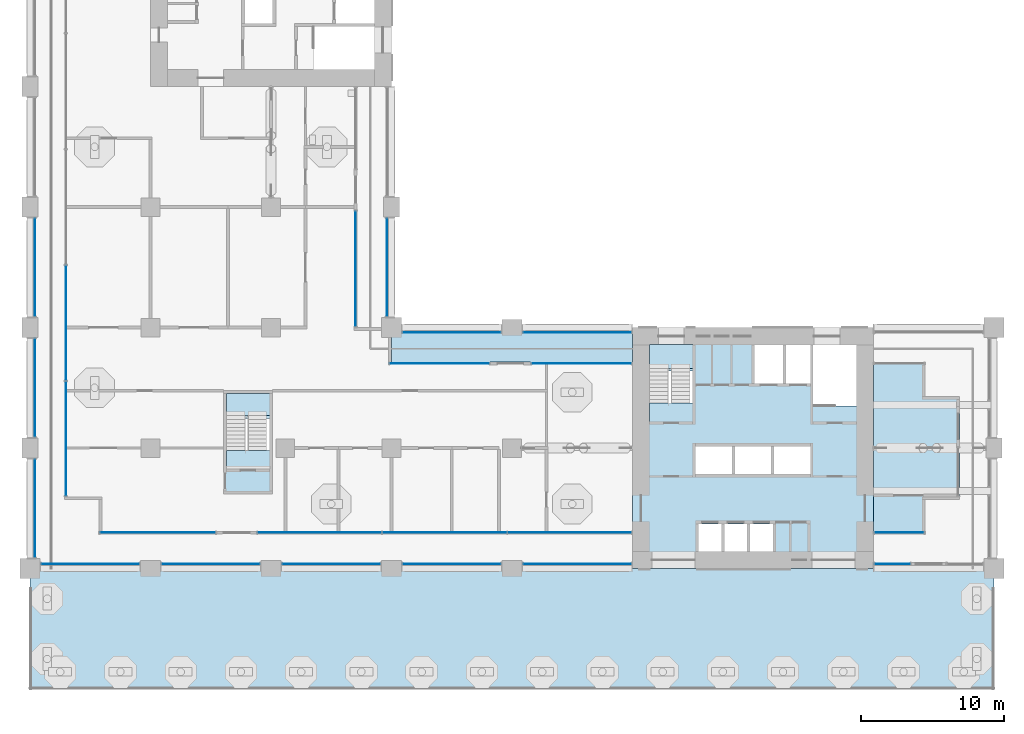
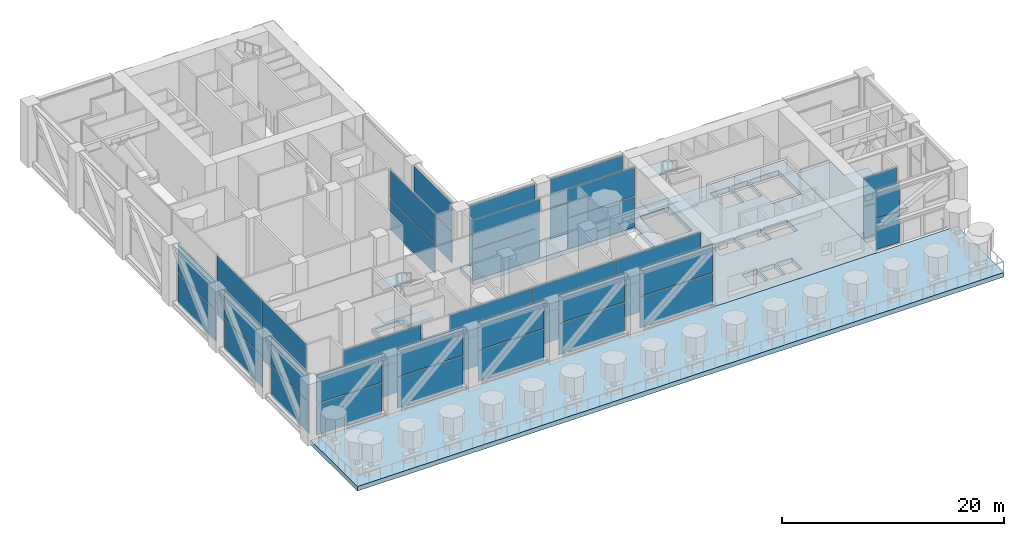
# One storey, part 8 of 28: 44 plates, 11 slabs, 21 elements without a shape of their own.
"""IFC4 building model written with IfcOpenShell, lengths in metres."""

import ifcopenshell
import ifcopenshell.guid

model = None  # the IFC model being written
_history = None  # IfcOwnerHistory: only IFC2X3 demands one
_inside = {}  # id of a spatial element -> (the spatial element, [elements in it])
_under = {}  # id of a project, library or spatial element -> (it, [spatial elements below it])
_declared = {}  # id of a project -> (the project, [libraries it declares])
_typed = {}  # id of a type object -> (the type object, [elements of that type])
_made_of = {}  # id of a material, layer set ... -> (it, [elements and type objects made of it])


def new_model(schema):
    """Start an empty IFC model of exactly this schema.

    Asked for "IFC4X3", IfcOpenShell would pick the latest addendum, in which some entities
    have other attributes; the version numbers below select the first issue.
    IFC2X3 requires an IfcOwnerHistory on every rooted entity: one is made here for all.
    """
    global model, _history
    if schema == "IFC4X3":
        model = ifcopenshell.file(schema_version=(4, 3, 0, 0))
    else:
        model = ifcopenshell.file(schema=schema)
    _inside.clear()
    _under.clear()
    _declared.clear()
    _typed.clear()
    _made_of.clear()
    _history = None
    if model.schema == "IFC2X3":
        org = make("IfcOrganization", Name="unknown")
        user = make(
            "IfcPersonAndOrganization",
            ThePerson=make("IfcPerson", FamilyName="unknown"),
            TheOrganization=org,
        )
        app = make(
            "IfcApplication",
            ApplicationDeveloper=org,
            Version="unknown",
            ApplicationFullName="unknown",
            ApplicationIdentifier="unknown",
        )
        _history = make(
            "IfcOwnerHistory",
            OwningUser=user,
            OwningApplication=app,
            ChangeAction="ADDED",
            CreationDate=0,
        )
    return model


def make(cls, **values):
    """One entity of the class cls with the attributes given. An attribute that is None is left unset."""
    return model.create_entity(
        cls, **{name: value for name, value in values.items() if value is not None}
    )


def rooted(cls, **values):
    """An entity with a GlobalId (a new one), such as an element, a storey or a relation."""
    return make(cls, GlobalId=ifcopenshell.guid.new(), OwnerHistory=_history, **values)


def si_unit(unit_type, name, prefix=None):
    """IfcSIUnit, for example si_unit("LENGTHUNIT", "METRE", prefix="MILLI")."""
    return make("IfcSIUnit", UnitType=unit_type, Prefix=prefix, Name=name)


def assignment(units):
    """IfcUnitAssignment: the units of a project."""
    return None if units is None else make("IfcUnitAssignment", Units=units)


def point(xyz):
    """IfcCartesianPoint."""
    return None if xyz is None else make("IfcCartesianPoint", Coordinates=xyz)


def direction(xyz):
    """IfcDirection."""
    return None if xyz is None else make("IfcDirection", DirectionRatios=xyz)


def frame(location, z_axis=None, x_axis=None):
    """IfcAxis2Placement3D, a coordinate frame: its origin and axes. An axis left out is left unset."""
    return make(
        "IfcAxis2Placement3D",
        Location=point(location),
        Axis=direction(z_axis),
        RefDirection=direction(x_axis),
    )


def frame_2d(location, x_axis=None):
    """IfcAxis2Placement2D, a coordinate frame in the plane: its origin and x axis."""
    return make(
        "IfcAxis2Placement2D", Location=point(location), RefDirection=direction(x_axis)
    )


def origin():
    """The frame at (0, 0, 0) with its axes left unset."""
    return frame((0.0, 0.0, 0.0))


def origin_2d():
    """The frame at (0, 0) in the plane with its x axis left unset."""
    return frame_2d((0.0, 0.0))


def place(relative_to, where):
    """IfcLocalPlacement: puts the frame where relative to a parent placement (None: the world)."""
    return make(
        "IfcLocalPlacement", PlacementRelTo=relative_to, RelativePlacement=where
    )


def context(
    kind, dimensions, precision=None, world=None, true_north=None, identifier=None
):
    """IfcGeometricRepresentationContext, for example the 3D "Model" context."""
    return make(
        "IfcGeometricRepresentationContext",
        ContextIdentifier=identifier,
        ContextType=kind,
        CoordinateSpaceDimension=dimensions,
        Precision=precision,
        WorldCoordinateSystem=world,
        TrueNorth=true_north,
    )


def subcontext(parent, identifier, kind, view, scale=None):
    """IfcGeometricRepresentationSubContext, for example "Body" below "Model"."""
    return make(
        "IfcGeometricRepresentationSubContext",
        ContextIdentifier=identifier,
        ContextType=kind,
        ParentContext=parent,
        TargetScale=scale,
        TargetView=view,
    )


def project(units=None, contexts=None):
    """IfcProject with its units and contexts."""
    return rooted(
        "IfcProject",
        Name="project",
        RepresentationContexts=contexts,
        UnitsInContext=assignment(units),
    )


def spatial(cls, under=None, at=None, **own):
    """A site, building, storey or space (cls), placed at a placement, below another one or the project."""
    s = rooted(cls, ObjectPlacement=at, **own)
    if under is not None:
        _under.setdefault(under.id(), (under, []))[1].append(s)
    return s


def polyline(points):
    """IfcPolyline through the points."""
    return make("IfcPolyline", Points=[point(p) for p in points])


def profile(cls, at=None, kind="AREA", **sizes):
    """A parametric profile (cls). Its sizes go by their IFC names, for example OverallWidth=200.0."""
    return make(cls, ProfileType=kind, Position=at, **sizes)


def rectangle(**sizes):
    """IfcRectangleProfileDef."""
    return profile("IfcRectangleProfileDef", **sizes)


def outline(outer, holes=None, kind="AREA"):
    """IfcArbitraryClosedProfileDef: a profile drawn as a closed curve; with holes, ...WithVoids."""
    if holes is None:
        return make("IfcArbitraryClosedProfileDef", ProfileType=kind, OuterCurve=outer)
    return make(
        "IfcArbitraryProfileDefWithVoids",
        ProfileType=kind,
        OuterCurve=outer,
        InnerCurves=holes,
    )


def extrude(swept, where, along, depth):
    """IfcExtrudedAreaSolid: the profile swept, set in the frame where, extruded along a direction by depth."""
    return make(
        "IfcExtrudedAreaSolid",
        SweptArea=swept,
        Position=where,
        ExtrudedDirection=direction(along),
        Depth=depth,
    )


def shape(context_of_items, identifier, shape_type, items):
    """IfcShapeRepresentation: the items that make up one representation, for example the "Body"."""
    return make(
        "IfcShapeRepresentation",
        ContextOfItems=context_of_items,
        RepresentationIdentifier=identifier,
        RepresentationType=shape_type,
        Items=items,
    )


def material(Name=None, Category=None):
    """IfcMaterial."""
    return make("IfcMaterial", Name=Name, Category=Category)


def layer(
    of_material, thickness, ventilated=None, Name=None, Category=None, Priority=None
):
    """IfcMaterialLayer: one layer of a wall or slab, of a material (None: an air gap)."""
    return make(
        "IfcMaterialLayer",
        Material=of_material,
        LayerThickness=thickness,
        IsVentilated=ventilated,
        Name=Name,
        Category=Category,
        Priority=Priority,
    )


def layer_set(layers, Name=None):
    """IfcMaterialLayerSet."""
    return make("IfcMaterialLayerSet", MaterialLayers=layers, LayerSetName=Name)


def made_of(thing, what):
    """Note that an element or type object is made of a material, layer set ...; save() writes the relation."""
    if what is not None:
        _made_of.setdefault(what.id(), (what, []))[1].append(thing)
    return thing


def type_object(cls, material=None, **own):
    """A type object (cls), such as IfcWallType, which elements share."""
    return made_of(rooted(cls, **own), material)


def element(
    cls,
    number,
    at=None,
    inside=None,
    cuts=None,
    type_object=None,
    material=None,
    context=None,
    identifier="Body",
    shape_type=None,
    held_by="IfcProductDefinitionShape",
    body=None,
    shapes=None,
    **own,
):
    """One element of the class cls, such as IfcWall. Its Tag is "e" and its number.

    at: its placement. inside: the storey or other place that contains it. cuts: it is an
    opening in that element (IfcRelVoidsElement). A single representation is given by context,
    identifier, shape_type and body (its items); several are given by shapes. held_by: the class
    of the entity that holds the representations. save() writes the other relations.
    """
    e = rooted(cls, Tag="e%d" % number, ObjectPlacement=at, **own)
    if body is not None:
        shapes = [shape(context, identifier, shape_type, body)]
    if shapes is not None:
        e.Representation = make(held_by, Representations=shapes)
    if inside is not None:
        _inside.setdefault(inside.id(), (inside, []))[1].append(e)
    if cuts is not None:
        rooted(
            "IfcRelVoidsElement", RelatingBuildingElement=cuts, RelatedOpeningElement=e
        )
    if type_object is not None:
        _typed.setdefault(type_object.id(), (type_object, []))[1].append(e)
    return made_of(e, material)


def aggregate(whole, parts):
    """IfcRelAggregates: a whole, such as a stair, and the parts it consists of."""
    return rooted("IfcRelAggregates", RelatingObject=whole, RelatedObjects=parts)


def save(model, path):
    """Write the relations noted so far, then the file.

    IfcRelAggregates (storeys below a building ...), IfcRelContainedInSpatialStructure (elements
    in a storey), IfcRelDefinesByType, IfcRelAssociatesMaterial and IfcRelDeclares: one each for
    every whole, place, type object, material and project.
    """
    for whole, parts in _under.values():
        aggregate(whole, parts)
    for where, things in _inside.values():
        rooted(
            "IfcRelContainedInSpatialStructure",
            RelatedElements=things,
            RelatingStructure=where,
        )
    for kind, things in _typed.values():
        rooted("IfcRelDefinesByType", RelatedObjects=things, RelatingType=kind)
    for what, things in _made_of.values():
        rooted("IfcRelAssociatesMaterial", RelatedObjects=things, RelatingMaterial=what)
    for by, libraries in _declared.values():
        rooted("IfcRelDeclares", RelatingContext=by, RelatedDefinitions=libraries)
    model.write(path)


model = new_model("IFC4")

# Units and contexts
model_context = context("Model", 3, precision=1e-05, world=origin(), true_north=direction((0.0, 1.0)))
body_context = subcontext(model_context, "Body", "Model", "MODEL_VIEW")
ifc_project = project(units=[si_unit("LENGTHUNIT", "METRE"), si_unit("AREAUNIT", "SQUARE_METRE"), si_unit("VOLUMEUNIT", "CUBIC_METRE"), si_unit("PLANEANGLEUNIT", "RADIAN"), si_unit("MASSUNIT", "GRAM", prefix="KILO")], contexts=[model_context])

# Site, building, storey
site_placement = place(None, origin())
site = spatial("IfcSite", under=ifc_project, at=site_placement, CompositionType="ELEMENT")
building_placement = place(site_placement, origin())
building = spatial("IfcBuilding", under=site, at=building_placement, Name="Vermilion Gate Residences", CompositionType="ELEMENT")
storey_placement = place(building_placement, frame((0.0, 0.0, 74.199951171875)))
storey = spatial("IfcBuildingStorey", under=building, at=storey_placement, Name="L18", CompositionType="ELEMENT", Elevation=74.199951171875)

# Slabs
ifc_material_1 = material(Name="Concrete C50", Category="concrete")
ifc_layer_1 = layer(ifc_material_1, 0.5)
ifc_layer_set_1 = layer_set([ifc_layer_1], Name="RC CORE FLOOR SLAB 500 C50")
slab_type_1 = type_object("IfcSlabType", Name="RC CORE FLOOR SLAB 500 C50", PredefinedType="FLOOR", material=ifc_layer_set_1)
slab_1_placement = place(storey_placement, frame((0.0, 0.0, -0.5)))
element("IfcSlab", 1, at=slab_1_placement, inside=storey, type_object=slab_type_1, Name="Core floor slab A18", PredefinedType="FLOOR", context=body_context, shape_type="SweptSolid", body=[
    extrude(outline(polyline([(42.0, 8.39990234375), (58.800048828125, 8.39990234375), (58.800048828125, 25.199951171875), (42.0, 25.199951171875), (42.0, 8.39990234375)]), holes=[polyline([(46.60009765625, 11.5), (48.199951171875, 11.5), (48.199951171875, 9.60009765625), (46.60009765625, 9.60009765625), (46.60009765625, 11.5)]), polyline([(48.39990234375, 11.5), (50.0, 11.5), (50.0, 9.60009765625), (48.39990234375, 9.60009765625), (48.39990234375, 11.5)]), polyline([(50.199951171875, 11.5), (51.800048828125, 11.5), (51.800048828125, 9.60009765625), (50.199951171875, 9.60009765625), (50.199951171875, 11.5)]), polyline([(48.933349609375, 16.89990234375), (48.933349609375, 15.0), (46.39990234375, 15.0), (46.39990234375, 16.89990234375), (48.933349609375, 16.89990234375)]), polyline([(51.666748046875, 16.89990234375), (51.666748046875, 15.0), (49.13330078125, 15.0), (49.13330078125, 16.89990234375), (51.666748046875, 16.89990234375)]), polyline([(51.86669921875, 16.89990234375), (54.39990234375, 16.89990234375), (54.39990234375, 15.0), (51.86669921875, 15.0), (51.86669921875, 16.89990234375)]), polyline([(43.199951171875, 24.0), (46.199951171875, 24.0), (46.199951171875, 19.75), (43.199951171875, 19.75), (43.199951171875, 24.0)]), polyline([(54.60009765625, 24.0), (57.60009765625, 24.0), (57.60009765625, 19.75), (54.60009765625, 19.75), (54.60009765625, 24.0)]), polyline([(52.5, 24.0), (52.5, 21.300048828125), (50.5, 21.300048828125), (50.5, 24.0), (52.5, 24.0)]), polyline([(54.39990234375, 24.0), (54.39990234375, 21.300048828125), (52.699951171875, 21.300048828125), (52.699951171875, 24.0), (54.39990234375, 24.0)])]), origin(), (0.0, 0.0, 1.0), 0.5),
])
slab_2_placement = place(storey_placement, frame((0.0, 0.0, -0.5)))
element("IfcSlab", 2, at=slab_2_placement, inside=storey, type_object=slab_type_1, Name="Apex stair floor slab 18", PredefinedType="FLOOR", context=body_context, shape_type="SweptSolid", body=[
    extrude(outline(polyline([(13.5, 13.60009765625), (16.89990234375, 13.60009765625), (16.89990234375, 20.800048828125), (13.5, 20.800048828125), (13.5, 13.60009765625)]), holes=[polyline([(16.699951171875, 20.60009765625), (16.699951171875, 16.449951171875), (13.699951171875, 16.449951171875), (13.699951171875, 20.60009765625), (16.699951171875, 20.60009765625)])]), origin(), (0.0, 0.0, 1.0), 0.5),
])
ifc_material_2 = material(Name="Concrete C60 red-oxide pigmented", Category="concrete")
ifc_layer_2 = layer(ifc_material_2, 0.5)
ifc_layer_set_2 = layer_set([ifc_layer_2], Name="RC LOGGIA SLAB 500 C60")
slab_type_2 = type_object("IfcSlabType", Name="RC LOGGIA SLAB 500 C60", PredefinedType="FLOOR", material=ifc_layer_set_2)
slab_3_placement = place(storey_placement, frame((0.0, 0.0, -0.5)))
element("IfcSlab", 3, at=slab_3_placement, inside=storey, type_object=slab_type_2, Name="Loggia slab L18", PredefinedType="FLOOR", context=body_context, shape_type="SweptSolid", body=[
    extrude(outline(polyline([(25.199951171875, 22.800048828125), (42.0, 22.800048828125), (42.0, 25.199951171875), (25.199951171875, 25.199951171875), (25.199951171875, 22.800048828125)])), origin(), (0.0, 0.0, 1.0), 0.5),
])
ifc_material_3 = material(Name="Concrete C60", Category="concrete")
ifc_layer_3 = layer(ifc_material_3, 0.5)
ifc_layer_set_3 = layer_set([ifc_layer_3], Name="RC SKY FLOOR SLAB 500 C60")
slab_type_3 = type_object("IfcSlabType", Name="RC SKY FLOOR SLAB 500 C60", PredefinedType="FLOOR", material=ifc_layer_set_3)
slab_4_placement = place(storey_placement, frame((0.0, 0.0, -0.5)))
element("IfcSlab", 4, at=slab_4_placement, inside=storey, type_object=slab_type_3, Name="Floor slab L18", PredefinedType="FLOOR", context=body_context, shape_type="SweptSolid", body=[
    extrude(outline(polyline([(58.800048828125, 22.800048828125), (58.800048828125, 10.800048828125), (62.39990234375, 10.800048828125), (62.39990234375, 13.199951171875), (64.800048828125, 13.199951171875), (64.800048828125, 20.39990234375), (62.39990234375, 20.39990234375), (62.39990234375, 22.800048828125), (58.800048828125, 22.800048828125)])), origin(), (0.0, 0.0, 1.0), 0.5),
])
ifc_material_4 = material(Name="Concrete C60", Category="concrete")
ifc_layer_4 = layer(ifc_material_4, 0.5)
ifc_layer_set_4 = layer_set([ifc_layer_4], Name="RC TERRACE SLAB 500 C60")
slab_type_4 = type_object("IfcSlabType", Name="RC TERRACE SLAB 500 C60", PredefinedType="FLOOR", material=ifc_layer_set_4)
slab_5_placement = place(storey_placement, frame((0.0, 0.0, -0.5)))
element("IfcSlab", 5, at=slab_5_placement, inside=storey, type_object=slab_type_4, Name="Terrace slab L18", PredefinedType="FLOOR", context=body_context, shape_type="SweptSolid", body=[
    extrude(outline(polyline([(0.0, 0.0), (67.199951171875, 0.0), (67.199951171875, 8.39990234375), (0.0, 8.39990234375), (0.0, 0.0)])), origin(), (0.0, 0.0, 1.0), 0.5),
])

# Curtain wall, plates
ifc_material_5 = material(Name="Aluminium and glass", Category="aluminium")
curtain_wall_type = type_object("IfcCurtainWallType", Name="SKY GARDEN GLAZING CURTAIN WALL", PredefinedType="NOTDEFINED", material=ifc_material_5)
curtain_wall_1_placement = place(storey_placement, origin())
curtain_wall_1 = element("IfcCurtainWall", 6, at=curtain_wall_1_placement, inside=storey, type_object=curtain_wall_type, Name="Sky Garden Glazing 30", PredefinedType="NOTDEFINED")
ifc_material_6 = material(Name="Clear laminated glass", Category="glass")
ifc_layer_5 = layer(ifc_material_6, 0.035888671875)
ifc_layer_set_5 = layer_set([ifc_layer_5], Name="SKY GARDEN GLAZING GLASS PANEL 36")
plate_type = type_object("IfcPlateType", Name="SKY GARDEN GLAZING GLASS PANEL 36", PredefinedType="CURTAIN_PANEL", material=ifc_layer_set_5)
plate_1_placement = place(storey_placement, frame((2.5, 25.52001953125, 0.080078125), z_axis=(0.0, 0.0, 1.0), x_axis=(0.0, -1.0, 0.0)))
plate_1 = element("IfcPlate", 7, at=plate_1_placement, type_object=plate_type, Name="ECW3 panel 4.1", PredefinedType="CURTAIN_PANEL", context=body_context, shape_type="SweptSolid", body=[
    extrude(rectangle(XDim=8.0, YDim=0.035888671875, at=origin_2d()), origin(), (0.0, 0.0, 1.0), 3.3798828125),
])
plate_2_placement = place(storey_placement, frame((2.5, 25.52001953125, 3.5400390625), z_axis=(0.0, 0.0, 1.0), x_axis=(0.0, -1.0, 0.0)))
plate_2 = element("IfcPlate", 8, at=plate_2_placement, type_object=plate_type, Name="ECW3 panel 4.2", PredefinedType="CURTAIN_PANEL", context=body_context, shape_type="SweptSolid", body=[
    extrude(rectangle(XDim=8.0, YDim=0.035888671875, at=origin_2d()), origin(), (0.0, 0.0, 1.0), 3.10009765625),
])
plate_3_placement = place(storey_placement, frame((2.5, 17.4599609375, 0.080078125), z_axis=(0.0, 0.0, 1.0), x_axis=(0.0, -1.0, 0.0)))
plate_3 = element("IfcPlate", 9, at=plate_3_placement, type_object=plate_type, Name="ECW3 panel 5.1", PredefinedType="CURTAIN_PANEL", context=body_context, shape_type="SweptSolid", body=[
    extrude(rectangle(XDim=7.9599609375, YDim=0.035888671875, at=origin_2d()), origin(), (0.0, 0.0, 1.0), 3.3798828125),
])
plate_4_placement = place(storey_placement, frame((2.5, 17.4599609375, 3.5400390625), z_axis=(0.0, 0.0, 1.0), x_axis=(0.0, -1.0, 0.0)))
plate_4 = element("IfcPlate", 10, at=plate_4_placement, type_object=plate_type, Name="ECW3 panel 5.2", PredefinedType="CURTAIN_PANEL", context=body_context, shape_type="SweptSolid", body=[
    extrude(rectangle(XDim=7.9599609375, YDim=0.035888671875, at=origin_2d()), origin(), (0.0, 0.0, 1.0), 3.10009765625),
])
aggregate(curtain_wall_1, [plate_1, plate_2, plate_3, plate_4])

curtain_wall_2_placement = place(storey_placement, origin())
curtain_wall_2 = element("IfcCurtainWall", 11, at=curtain_wall_2_placement, inside=storey, type_object=curtain_wall_type, Name="Sky Garden Glazing 60", PredefinedType="NOTDEFINED")
plate_5_placement = place(storey_placement, frame((8.89990234375, 10.89990234375, 0.080078125), z_axis=(0.0, 0.0, 1.0), x_axis=(1.0, 0.0, 0.0)))
plate_5 = element("IfcPlate", 12, at=plate_5_placement, type_object=plate_type, Name="ECW3 panel 1.1", PredefinedType="CURTAIN_PANEL", context=body_context, shape_type="SweptSolid", body=[
    extrude(rectangle(XDim=8.0400390625, YDim=0.035888671875, at=origin_2d()), origin(), (0.0, 0.0, 1.0), 3.3798828125),
])
plate_6_placement = place(storey_placement, frame((8.89990234375, 10.89990234375, 3.5400390625), z_axis=(0.0, 0.0, 1.0), x_axis=(1.0, 0.0, 0.0)))
plate_6 = element("IfcPlate", 13, at=plate_6_placement, type_object=plate_type, Name="ECW3 panel 1.2", PredefinedType="CURTAIN_PANEL", context=body_context, shape_type="SweptSolid", body=[
    extrude(rectangle(XDim=8.0400390625, YDim=0.035888671875, at=origin_2d()), origin(), (0.0, 0.0, 1.0), 3.10009765625),
])
aggregate(curtain_wall_2, [plate_5, plate_6])

curtain_wall_3_placement = place(storey_placement, origin())
curtain_wall_3 = element("IfcCurtainWall", 14, at=curtain_wall_3_placement, inside=storey, type_object=curtain_wall_type, Name="Sky Garden Glazing 62", PredefinedType="NOTDEFINED")
plate_7_placement = place(storey_placement, frame((20.186767578125, 10.89990234375, 0.080078125), z_axis=(0.0, 0.0, 1.0), x_axis=(1.0, 0.0, 0.0)))
plate_7 = element("IfcPlate", 15, at=plate_7_placement, type_object=plate_type, Name="ECW3 panel 1.1", PredefinedType="CURTAIN_PANEL", context=body_context, shape_type="SweptSolid", body=[
    extrude(rectangle(XDim=8.61328125, YDim=0.035888671875, at=origin_2d()), origin(), (0.0, 0.0, 1.0), 3.3798828125),
])
plate_8_placement = place(storey_placement, frame((20.186767578125, 10.89990234375, 3.5400390625), z_axis=(0.0, 0.0, 1.0), x_axis=(1.0, 0.0, 0.0)))
plate_8 = element("IfcPlate", 16, at=plate_8_placement, type_object=plate_type, Name="ECW3 panel 1.2", PredefinedType="CURTAIN_PANEL", context=body_context, shape_type="SweptSolid", body=[
    extrude(rectangle(XDim=8.61328125, YDim=0.035888671875, at=origin_2d()), origin(), (0.0, 0.0, 1.0), 3.10009765625),
])
plate_9_placement = place(storey_placement, frame((28.89990234375, 10.89990234375, 0.080078125), z_axis=(0.0, 0.0, 1.0), x_axis=(1.0, 0.0, 0.0)))
plate_9 = element("IfcPlate", 17, at=plate_9_placement, type_object=plate_type, Name="ECW3 panel 2.1", PredefinedType="CURTAIN_PANEL", context=body_context, shape_type="SweptSolid", body=[
    extrude(rectangle(XDim=8.6533203125, YDim=0.035888671875, at=origin_2d()), origin(), (0.0, 0.0, 1.0), 3.3798828125),
])
plate_10_placement = place(storey_placement, frame((28.89990234375, 10.89990234375, 3.5400390625), z_axis=(0.0, 0.0, 1.0), x_axis=(1.0, 0.0, 0.0)))
plate_10 = element("IfcPlate", 18, at=plate_10_placement, type_object=plate_type, Name="ECW3 panel 2.2", PredefinedType="CURTAIN_PANEL", context=body_context, shape_type="SweptSolid", body=[
    extrude(rectangle(XDim=8.6533203125, YDim=0.035888671875, at=origin_2d()), origin(), (0.0, 0.0, 1.0), 3.10009765625),
])
plate_11_placement = place(storey_placement, frame((37.61328125, 10.89990234375, 0.080078125), z_axis=(0.0, 0.0, 1.0), x_axis=(1.0, 0.0, 0.0)))
plate_11 = element("IfcPlate", 19, at=plate_11_placement, type_object=plate_type, Name="ECW3 panel 3.1", PredefinedType="CURTAIN_PANEL", context=body_context, shape_type="SweptSolid", body=[
    extrude(rectangle(XDim=8.61328125, YDim=0.035888671875, at=origin_2d()), origin(), (0.0, 0.0, 1.0), 3.3798828125),
])
plate_12_placement = place(storey_placement, frame((37.61328125, 10.89990234375, 3.5400390625), z_axis=(0.0, 0.0, 1.0), x_axis=(1.0, 0.0, 0.0)))
plate_12 = element("IfcPlate", 20, at=plate_12_placement, type_object=plate_type, Name="ECW3 panel 3.2", PredefinedType="CURTAIN_PANEL", context=body_context, shape_type="SweptSolid", body=[
    extrude(rectangle(XDim=8.61328125, YDim=0.035888671875, at=origin_2d()), origin(), (0.0, 0.0, 1.0), 3.10009765625),
])
aggregate(curtain_wall_3, [plate_7, plate_8, plate_9, plate_10, plate_11, plate_12])

curtain_wall_4_placement = place(storey_placement, origin())
curtain_wall_4 = element("IfcCurtainWall", 21, at=curtain_wall_4_placement, inside=storey, type_object=curtain_wall_type, Name="Sky Garden Glazing 70", PredefinedType="NOTDEFINED")
plate_13_placement = place(storey_placement, frame((60.60009765625, 10.89990234375, 0.080078125), z_axis=(0.0, 0.0, 1.0), x_axis=(1.0, 0.0, 0.0)))
plate_13 = element("IfcPlate", 22, at=plate_13_placement, type_object=plate_type, Name="ECW3 panel 1.1", PredefinedType="CURTAIN_PANEL", context=body_context, shape_type="SweptSolid", body=[
    extrude(rectangle(XDim=3.43994140625, YDim=0.035888671875, at=origin_2d()), origin(), (0.0, 0.0, 1.0), 3.3798828125),
])
plate_14_placement = place(storey_placement, frame((60.60009765625, 10.89990234375, 3.5400390625), z_axis=(0.0, 0.0, 1.0), x_axis=(1.0, 0.0, 0.0)))
plate_14 = element("IfcPlate", 23, at=plate_14_placement, type_object=plate_type, Name="ECW3 panel 1.2", PredefinedType="CURTAIN_PANEL", context=body_context, shape_type="SweptSolid", body=[
    extrude(rectangle(XDim=3.43994140625, YDim=0.035888671875, at=origin_2d()), origin(), (0.0, 0.0, 1.0), 3.10009765625),
])
aggregate(curtain_wall_4, [plate_13, plate_14])

curtain_wall_5_placement = place(storey_placement, origin())
curtain_wall_5 = element("IfcCurtainWall", 24, at=curtain_wall_5_placement, inside=storey, type_object=curtain_wall_type, Name="Sky Garden Glazing 140", PredefinedType="NOTDEFINED")
plate_15_placement = place(storey_placement, frame((38.449951171875, 22.699951171875, 0.080078125), z_axis=(0.0, 0.0, 1.0), x_axis=(-1.0, 0.0, 0.0)))
plate_15 = element("IfcPlate", 25, at=plate_15_placement, type_object=plate_type, Name="ECW3 panel 1.1", PredefinedType="CURTAIN_PANEL", context=body_context, shape_type="SweptSolid", body=[
    extrude(rectangle(XDim=6.93994140625, YDim=0.035888671875, at=origin_2d()), origin(), (0.0, 0.0, 1.0), 3.3798828125),
])
plate_16_placement = place(storey_placement, frame((38.449951171875, 22.699951171875, 3.5400390625), z_axis=(0.0, 0.0, 1.0), x_axis=(-1.0, 0.0, 0.0)))
plate_16 = element("IfcPlate", 26, at=plate_16_placement, type_object=plate_type, Name="ECW3 panel 1.2", PredefinedType="CURTAIN_PANEL", context=body_context, shape_type="SweptSolid", body=[
    extrude(rectangle(XDim=6.93994140625, YDim=0.035888671875, at=origin_2d()), origin(), (0.0, 0.0, 1.0), 3.10009765625),
])
aggregate(curtain_wall_5, [plate_15, plate_16])

curtain_wall_6_placement = place(storey_placement, origin())
curtain_wall_6 = element("IfcCurtainWall", 27, at=curtain_wall_6_placement, inside=storey, type_object=curtain_wall_type, Name="Sky Garden Glazing 142", PredefinedType="NOTDEFINED")
plate_17_placement = place(storey_placement, frame((28.550048828125, 22.699951171875, 0.080078125), z_axis=(0.0, 0.0, 1.0), x_axis=(-1.0, 0.0, 0.0)))
plate_17 = element("IfcPlate", 28, at=plate_17_placement, type_object=plate_type, Name="ECW3 panel 1.1", PredefinedType="CURTAIN_PANEL", context=body_context, shape_type="SweptSolid", body=[
    extrude(rectangle(XDim=6.93994140625, YDim=0.035888671875, at=origin_2d()), origin(), (0.0, 0.0, 1.0), 3.3798828125),
])
plate_18_placement = place(storey_placement, frame((28.550048828125, 22.699951171875, 3.5400390625), z_axis=(0.0, 0.0, 1.0), x_axis=(-1.0, 0.0, 0.0)))
plate_18 = element("IfcPlate", 29, at=plate_18_placement, type_object=plate_type, Name="ECW3 panel 1.2", PredefinedType="CURTAIN_PANEL", context=body_context, shape_type="SweptSolid", body=[
    extrude(rectangle(XDim=6.93994140625, YDim=0.035888671875, at=origin_2d()), origin(), (0.0, 0.0, 1.0), 3.10009765625),
])
aggregate(curtain_wall_6, [plate_17, plate_18])

curtain_wall_7_placement = place(storey_placement, origin())
curtain_wall_7 = element("IfcCurtainWall", 30, at=curtain_wall_7_placement, inside=storey, type_object=curtain_wall_type, Name="Sky Garden Glazing 170", PredefinedType="NOTDEFINED")
plate_19_placement = place(storey_placement, frame((22.699951171875, 29.300048828125, 0.080078125), z_axis=(0.0, 0.0, 1.0), x_axis=(0.0, 1.0, 0.0)))
plate_19 = element("IfcPlate", 31, at=plate_19_placement, type_object=plate_type, Name="ECW3 panel 1.1", PredefinedType="CURTAIN_PANEL", context=body_context, shape_type="SweptSolid", body=[
    extrude(rectangle(XDim=8.0400390625, YDim=0.035888671875, at=origin_2d()), origin(), (0.0, 0.0, 1.0), 3.3798828125),
])
plate_20_placement = place(storey_placement, frame((22.699951171875, 29.300048828125, 3.5400390625), z_axis=(0.0, 0.0, 1.0), x_axis=(0.0, 1.0, 0.0)))
plate_20 = element("IfcPlate", 32, at=plate_20_placement, type_object=plate_type, Name="ECW3 panel 1.2", PredefinedType="CURTAIN_PANEL", context=body_context, shape_type="SweptSolid", body=[
    extrude(rectangle(XDim=8.0400390625, YDim=0.035888671875, at=origin_2d()), origin(), (0.0, 0.0, 1.0), 3.10009765625),
])
aggregate(curtain_wall_7, [plate_19, plate_20])

curtain_wall_8_placement = place(storey_placement, origin())
curtain_wall_8 = element("IfcCurtainWall", 33, at=curtain_wall_8_placement, inside=storey, type_object=curtain_wall_type, Name="Sky Garden Glazing 503", PredefinedType="NOTDEFINED")
plate_21_placement = place(storey_placement, frame((0.330078125, 29.39990234375, 0.080078125), z_axis=(0.0, 0.0, 1.0), x_axis=(0.0, -1.0, 0.0)))
plate_21 = element("IfcPlate", 34, at=plate_21_placement, type_object=plate_type, Name="ECW3 panel 1.1", PredefinedType="CURTAIN_PANEL", context=body_context, shape_type="SweptSolid", body=[
    extrude(rectangle(XDim=6.840087890625, YDim=0.035888671875, at=origin_2d()), origin(), (0.0, 0.0, 1.0), 3.3798828125),
])
plate_22_placement = place(storey_placement, frame((0.330078125, 29.39990234375, 3.5400390625), z_axis=(0.0, 0.0, 1.0), x_axis=(0.0, -1.0, 0.0)))
plate_22 = element("IfcPlate", 35, at=plate_22_placement, type_object=plate_type, Name="ECW3 panel 1.2", PredefinedType="CURTAIN_PANEL", context=body_context, shape_type="SweptSolid", body=[
    extrude(rectangle(XDim=6.840087890625, YDim=0.035888671875, at=origin_2d()), origin(), (0.0, 0.0, 1.0), 3.10009765625),
])
aggregate(curtain_wall_8, [plate_21, plate_22])

curtain_wall_9_placement = place(storey_placement, origin())
curtain_wall_9 = element("IfcCurtainWall", 36, at=curtain_wall_9_placement, inside=storey, type_object=curtain_wall_type, Name="Sky Garden Glazing 504", PredefinedType="NOTDEFINED")
plate_23_placement = place(storey_placement, frame((0.330078125, 21.0, 0.080078125), z_axis=(0.0, 0.0, 1.0), x_axis=(0.0, -1.0, 0.0)))
plate_23 = element("IfcPlate", 37, at=plate_23_placement, type_object=plate_type, Name="ECW3 panel 1.1", PredefinedType="CURTAIN_PANEL", context=body_context, shape_type="SweptSolid", body=[
    extrude(rectangle(XDim=6.840087890625, YDim=0.035888671875, at=origin_2d()), origin(), (0.0, 0.0, 1.0), 3.3798828125),
])
plate_24_placement = place(storey_placement, frame((0.330078125, 21.0, 3.5400390625), z_axis=(0.0, 0.0, 1.0), x_axis=(0.0, -1.0, 0.0)))
plate_24 = element("IfcPlate", 38, at=plate_24_placement, type_object=plate_type, Name="ECW3 panel 1.2", PredefinedType="CURTAIN_PANEL", context=body_context, shape_type="SweptSolid", body=[
    extrude(rectangle(XDim=6.840087890625, YDim=0.035888671875, at=origin_2d()), origin(), (0.0, 0.0, 1.0), 3.10009765625),
])
aggregate(curtain_wall_9, [plate_23, plate_24])

curtain_wall_10_placement = place(storey_placement, origin())
curtain_wall_10 = element("IfcCurtainWall", 39, at=curtain_wall_10_placement, inside=storey, type_object=curtain_wall_type, Name="Sky Garden Glazing 505", PredefinedType="NOTDEFINED")
plate_25_placement = place(storey_placement, frame((0.330078125, 12.60009765625, 0.080078125), z_axis=(0.0, 0.0, 1.0), x_axis=(0.0, -1.0, 0.0)))
plate_25 = element("IfcPlate", 40, at=plate_25_placement, type_object=plate_type, Name="ECW3 panel 1.1", PredefinedType="CURTAIN_PANEL", context=body_context, shape_type="SweptSolid", body=[
    extrude(rectangle(XDim=6.840087890625, YDim=0.035888671875, at=origin_2d()), origin(), (0.0, 0.0, 1.0), 3.3798828125),
])
plate_26_placement = place(storey_placement, frame((0.330078125, 12.60009765625, 3.5400390625), z_axis=(0.0, 0.0, 1.0), x_axis=(0.0, -1.0, 0.0)))
plate_26 = element("IfcPlate", 41, at=plate_26_placement, type_object=plate_type, Name="ECW3 panel 1.2", PredefinedType="CURTAIN_PANEL", context=body_context, shape_type="SweptSolid", body=[
    extrude(rectangle(XDim=6.840087890625, YDim=0.035888671875, at=origin_2d()), origin(), (0.0, 0.0, 1.0), 3.10009765625),
])
aggregate(curtain_wall_10, [plate_25, plate_26])

curtain_wall_11_placement = place(storey_placement, origin())
curtain_wall_11 = element("IfcCurtainWall", 42, at=curtain_wall_11_placement, inside=storey, type_object=curtain_wall_type, Name="Sky Garden Glazing 506", PredefinedType="NOTDEFINED")
plate_27_placement = place(storey_placement, frame((4.199951171875, 8.72998046875, 0.080078125), z_axis=(0.0, 0.0, 1.0), x_axis=(1.0, 0.0, 0.0)))
plate_27 = element("IfcPlate", 43, at=plate_27_placement, type_object=plate_type, Name="ECW3 panel 1.1", PredefinedType="CURTAIN_PANEL", context=body_context, shape_type="SweptSolid", body=[
    extrude(rectangle(XDim=6.840087890625, YDim=0.035888671875, at=origin_2d()), origin(), (0.0, 0.0, 1.0), 3.3798828125),
])
plate_28_placement = place(storey_placement, frame((4.199951171875, 8.72998046875, 3.5400390625), z_axis=(0.0, 0.0, 1.0), x_axis=(1.0, 0.0, 0.0)))
plate_28 = element("IfcPlate", 44, at=plate_28_placement, type_object=plate_type, Name="ECW3 panel 1.2", PredefinedType="CURTAIN_PANEL", context=body_context, shape_type="SweptSolid", body=[
    extrude(rectangle(XDim=6.840087890625, YDim=0.035888671875, at=origin_2d()), origin(), (0.0, 0.0, 1.0), 3.10009765625),
])
aggregate(curtain_wall_11, [plate_27, plate_28])

curtain_wall_12_placement = place(storey_placement, origin())
curtain_wall_12 = element("IfcCurtainWall", 45, at=curtain_wall_12_placement, inside=storey, type_object=curtain_wall_type, Name="Sky Garden Glazing 507", PredefinedType="NOTDEFINED")
plate_29_placement = place(storey_placement, frame((12.60009765625, 8.72998046875, 0.080078125), z_axis=(0.0, 0.0, 1.0), x_axis=(1.0, 0.0, 0.0)))
plate_29 = element("IfcPlate", 46, at=plate_29_placement, type_object=plate_type, Name="ECW3 panel 1.1", PredefinedType="CURTAIN_PANEL", context=body_context, shape_type="SweptSolid", body=[
    extrude(rectangle(XDim=6.840087890625, YDim=0.035888671875, at=origin_2d()), origin(), (0.0, 0.0, 1.0), 3.3798828125),
])
plate_30_placement = place(storey_placement, frame((12.60009765625, 8.72998046875, 3.5400390625), z_axis=(0.0, 0.0, 1.0), x_axis=(1.0, 0.0, 0.0)))
plate_30 = element("IfcPlate", 47, at=plate_30_placement, type_object=plate_type, Name="ECW3 panel 1.2", PredefinedType="CURTAIN_PANEL", context=body_context, shape_type="SweptSolid", body=[
    extrude(rectangle(XDim=6.840087890625, YDim=0.035888671875, at=origin_2d()), origin(), (0.0, 0.0, 1.0), 3.10009765625),
])
aggregate(curtain_wall_12, [plate_29, plate_30])

curtain_wall_13_placement = place(storey_placement, origin())
curtain_wall_13 = element("IfcCurtainWall", 48, at=curtain_wall_13_placement, inside=storey, type_object=curtain_wall_type, Name="Sky Garden Glazing 508", PredefinedType="NOTDEFINED")
plate_31_placement = place(storey_placement, frame((21.0, 8.72998046875, 0.080078125), z_axis=(0.0, 0.0, 1.0), x_axis=(1.0, 0.0, 0.0)))
plate_31 = element("IfcPlate", 49, at=plate_31_placement, type_object=plate_type, Name="ECW3 panel 1.1", PredefinedType="CURTAIN_PANEL", context=body_context, shape_type="SweptSolid", body=[
    extrude(rectangle(XDim=6.840087890625, YDim=0.035888671875, at=origin_2d()), origin(), (0.0, 0.0, 1.0), 3.3798828125),
])
plate_32_placement = place(storey_placement, frame((21.0, 8.72998046875, 3.5400390625), z_axis=(0.0, 0.0, 1.0), x_axis=(1.0, 0.0, 0.0)))
plate_32 = element("IfcPlate", 50, at=plate_32_placement, type_object=plate_type, Name="ECW3 panel 1.2", PredefinedType="CURTAIN_PANEL", context=body_context, shape_type="SweptSolid", body=[
    extrude(rectangle(XDim=6.840087890625, YDim=0.035888671875, at=origin_2d()), origin(), (0.0, 0.0, 1.0), 3.10009765625),
])
aggregate(curtain_wall_13, [plate_31, plate_32])

curtain_wall_14_placement = place(storey_placement, origin())
curtain_wall_14 = element("IfcCurtainWall", 51, at=curtain_wall_14_placement, inside=storey, type_object=curtain_wall_type, Name="Sky Garden Glazing 509", PredefinedType="NOTDEFINED")
plate_33_placement = place(storey_placement, frame((29.39990234375, 8.72998046875, 0.080078125), z_axis=(0.0, 0.0, 1.0), x_axis=(1.0, 0.0, 0.0)))
plate_33 = element("IfcPlate", 52, at=plate_33_placement, type_object=plate_type, Name="ECW3 panel 1.1", PredefinedType="CURTAIN_PANEL", context=body_context, shape_type="SweptSolid", body=[
    extrude(rectangle(XDim=6.840087890625, YDim=0.035888671875, at=origin_2d()), origin(), (0.0, 0.0, 1.0), 3.3798828125),
])
plate_34_placement = place(storey_placement, frame((29.39990234375, 8.72998046875, 3.5400390625), z_axis=(0.0, 0.0, 1.0), x_axis=(1.0, 0.0, 0.0)))
plate_34 = element("IfcPlate", 53, at=plate_34_placement, type_object=plate_type, Name="ECW3 panel 1.2", PredefinedType="CURTAIN_PANEL", context=body_context, shape_type="SweptSolid", body=[
    extrude(rectangle(XDim=6.840087890625, YDim=0.035888671875, at=origin_2d()), origin(), (0.0, 0.0, 1.0), 3.10009765625),
])
aggregate(curtain_wall_14, [plate_33, plate_34])

curtain_wall_15_placement = place(storey_placement, origin())
curtain_wall_15 = element("IfcCurtainWall", 54, at=curtain_wall_15_placement, inside=storey, type_object=curtain_wall_type, Name="Sky Garden Glazing 510", PredefinedType="NOTDEFINED")
plate_35_placement = place(storey_placement, frame((38.14990234375, 8.72998046875, 0.080078125), z_axis=(0.0, 0.0, 1.0), x_axis=(1.0, 0.0, 0.0)))
plate_35 = element("IfcPlate", 55, at=plate_35_placement, type_object=plate_type, Name="ECW3 panel 1.1", PredefinedType="CURTAIN_PANEL", context=body_context, shape_type="SweptSolid", body=[
    extrude(rectangle(XDim=7.5400390625, YDim=0.035888671875, at=origin_2d()), origin(), (0.0, 0.0, 1.0), 3.3798828125),
])
plate_36_placement = place(storey_placement, frame((38.14990234375, 8.72998046875, 3.5400390625), z_axis=(0.0, 0.0, 1.0), x_axis=(1.0, 0.0, 0.0)))
plate_36 = element("IfcPlate", 56, at=plate_36_placement, type_object=plate_type, Name="ECW3 panel 1.2", PredefinedType="CURTAIN_PANEL", context=body_context, shape_type="SweptSolid", body=[
    extrude(rectangle(XDim=7.5400390625, YDim=0.035888671875, at=origin_2d()), origin(), (0.0, 0.0, 1.0), 3.10009765625),
])
aggregate(curtain_wall_15, [plate_35, plate_36])

curtain_wall_16_placement = place(storey_placement, origin())
curtain_wall_16 = element("IfcCurtainWall", 57, at=curtain_wall_16_placement, inside=storey, type_object=curtain_wall_type, Name="Sky Garden Glazing 810", PredefinedType="NOTDEFINED")
plate_37_placement = place(storey_placement, frame((60.125, 8.72998046875, 0.080078125), z_axis=(0.0, 0.0, 1.0), x_axis=(1.0, 0.0, 0.0)))
plate_37 = element("IfcPlate", 58, at=plate_37_placement, type_object=plate_type, Name="ECW3 panel 1.1", PredefinedType="CURTAIN_PANEL", context=body_context, shape_type="SweptSolid", body=[
    extrude(rectangle(XDim=2.489990234375, YDim=0.035888671875, at=origin_2d()), origin(), (0.0, 0.0, 1.0), 3.3798828125),
])
plate_38_placement = place(storey_placement, frame((60.125, 8.72998046875, 3.5400390625), z_axis=(0.0, 0.0, 1.0), x_axis=(1.0, 0.0, 0.0)))
plate_38 = element("IfcPlate", 59, at=plate_38_placement, type_object=plate_type, Name="ECW3 panel 1.2", PredefinedType="CURTAIN_PANEL", context=body_context, shape_type="SweptSolid", body=[
    extrude(rectangle(XDim=2.489990234375, YDim=0.035888671875, at=origin_2d()), origin(), (0.0, 0.0, 1.0), 3.10009765625),
])
aggregate(curtain_wall_16, [plate_37, plate_38])

curtain_wall_17_placement = place(storey_placement, origin())
curtain_wall_17 = element("IfcCurtainWall", 60, at=curtain_wall_17_placement, inside=storey, type_object=curtain_wall_type, Name="Sky Garden Glazing 517", PredefinedType="NOTDEFINED")
plate_39_placement = place(storey_placement, frame((38.14990234375, 24.8701171875, 0.080078125), z_axis=(0.0, 0.0, 1.0), x_axis=(-1.0, 0.0, 0.0)))
plate_39 = element("IfcPlate", 61, at=plate_39_placement, type_object=plate_type, Name="ECW3 panel 1.1", PredefinedType="CURTAIN_PANEL", context=body_context, shape_type="SweptSolid", body=[
    extrude(rectangle(XDim=7.5400390625, YDim=0.035888671875, at=origin_2d()), origin(), (0.0, 0.0, 1.0), 3.3798828125),
])
plate_40_placement = place(storey_placement, frame((38.14990234375, 24.8701171875, 3.5400390625), z_axis=(0.0, 0.0, 1.0), x_axis=(-1.0, 0.0, 0.0)))
plate_40 = element("IfcPlate", 62, at=plate_40_placement, type_object=plate_type, Name="ECW3 panel 1.2", PredefinedType="CURTAIN_PANEL", context=body_context, shape_type="SweptSolid", body=[
    extrude(rectangle(XDim=7.5400390625, YDim=0.035888671875, at=origin_2d()), origin(), (0.0, 0.0, 1.0), 3.10009765625),
])
aggregate(curtain_wall_17, [plate_39, plate_40])

curtain_wall_18_placement = place(storey_placement, origin())
curtain_wall_18 = element("IfcCurtainWall", 63, at=curtain_wall_18_placement, inside=storey, type_object=curtain_wall_type, Name="Sky Garden Glazing 518", PredefinedType="NOTDEFINED")
plate_41_placement = place(storey_placement, frame((29.39990234375, 24.8701171875, 0.080078125), z_axis=(0.0, 0.0, 1.0), x_axis=(-1.0, 0.0, 0.0)))
plate_41 = element("IfcPlate", 64, at=plate_41_placement, type_object=plate_type, Name="ECW3 panel 1.1", PredefinedType="CURTAIN_PANEL", context=body_context, shape_type="SweptSolid", body=[
    extrude(rectangle(XDim=6.840087890625, YDim=0.035888671875, at=origin_2d()), origin(), (0.0, 0.0, 1.0), 3.3798828125),
])
plate_42_placement = place(storey_placement, frame((29.39990234375, 24.8701171875, 3.5400390625), z_axis=(0.0, 0.0, 1.0), x_axis=(-1.0, 0.0, 0.0)))
plate_42 = element("IfcPlate", 65, at=plate_42_placement, type_object=plate_type, Name="ECW3 panel 1.2", PredefinedType="CURTAIN_PANEL", context=body_context, shape_type="SweptSolid", body=[
    extrude(rectangle(XDim=6.840087890625, YDim=0.035888671875, at=origin_2d()), origin(), (0.0, 0.0, 1.0), 3.10009765625),
])
aggregate(curtain_wall_18, [plate_41, plate_42])

curtain_wall_19_placement = place(storey_placement, origin())
curtain_wall_19 = element("IfcCurtainWall", 66, at=curtain_wall_19_placement, inside=storey, type_object=curtain_wall_type, Name="Sky Garden Glazing 519", PredefinedType="NOTDEFINED")
plate_43_placement = place(storey_placement, frame((24.8701171875, 29.39990234375, 0.080078125), z_axis=(0.0, 0.0, 1.0), x_axis=(0.0, 1.0, 0.0)))
plate_43 = element("IfcPlate", 67, at=plate_43_placement, type_object=plate_type, Name="ECW3 panel 1.1", PredefinedType="CURTAIN_PANEL", context=body_context, shape_type="SweptSolid", body=[
    extrude(rectangle(XDim=6.840087890625, YDim=0.035888671875, at=origin_2d()), origin(), (0.0, 0.0, 1.0), 3.3798828125),
])
plate_44_placement = place(storey_placement, frame((24.8701171875, 29.39990234375, 3.5400390625), z_axis=(0.0, 0.0, 1.0), x_axis=(0.0, 1.0, 0.0)))
plate_44 = element("IfcPlate", 68, at=plate_44_placement, type_object=plate_type, Name="ECW3 panel 1.2", PredefinedType="CURTAIN_PANEL", context=body_context, shape_type="SweptSolid", body=[
    extrude(rectangle(XDim=6.840087890625, YDim=0.035888671875, at=origin_2d()), origin(), (0.0, 0.0, 1.0), 3.10009765625),
])
aggregate(curtain_wall_19, [plate_43, plate_44])

# Stair, slabs
ifc_material_7 = material(Name="Concrete C50", Category="concrete")
stair_type = type_object("IfcStairType", Name="SPECIAL ESCAPE STAIR 1300", PredefinedType="HALF_TURN_STAIR", material=ifc_material_7)
stair_1_placement = place(storey_placement, origin())
stair_1 = element("IfcStair", 69, at=stair_1_placement, inside=storey, type_object=stair_type, Name="Special escape stair STA1-18", PredefinedType="HALF_TURN_STAIR")
ifc_material_8 = material(Name="Concrete C50", Category="concrete")
ifc_layer_6 = layer(ifc_material_8, 0.199951171875)
ifc_layer_set_6 = layer_set([ifc_layer_6], Name="STAIR LANDING 200 C50")
slab_type_5 = type_object("IfcSlabType", Name="STAIR LANDING 200 C50", PredefinedType="LANDING", material=ifc_layer_set_6)
slab_6_placement = place(storey_placement, frame((0.0, 0.0, 1.550048828125)))
slab_6 = element("IfcSlab", 70, at=slab_6_placement, type_object=slab_type_5, Name="STA1-18 landing 1", PredefinedType="LANDING", context=body_context, shape_type="SweptSolid", body=[
    extrude(outline(polyline([(46.219970703125, 22.179931640625), (46.219970703125, 24.02001953125), (43.179931640625, 24.02001953125), (43.179931640625, 22.179931640625), (46.219970703125, 22.179931640625)])), origin(), (0.0, 0.0, 1.0), 0.199951171875),
])
slab_7_placement = place(storey_placement, frame((0.0, 0.0, 3.300048828125)))
slab_7 = element("IfcSlab", 71, at=slab_7_placement, type_object=slab_type_5, Name="STA1-18 landing 2", PredefinedType="LANDING", context=body_context, shape_type="SweptSolid", body=[
    extrude(outline(polyline([(46.219970703125, 18.6298828125), (46.219970703125, 19.929931640625), (43.179931640625, 19.929931640625), (43.179931640625, 18.6298828125), (46.219970703125, 18.6298828125)])), origin(), (0.0, 0.0, 1.0), 0.199951171875),
])
slab_8_placement = place(storey_placement, frame((0.0, 0.0, 5.050048828125)))
slab_8 = element("IfcSlab", 72, at=slab_8_placement, type_object=slab_type_5, Name="STA1-18 landing 3", PredefinedType="LANDING", context=body_context, shape_type="SweptSolid", body=[
    extrude(outline(polyline([(46.219970703125, 22.360107421875), (46.219970703125, 24.02001953125), (43.179931640625, 24.02001953125), (43.179931640625, 22.360107421875), (46.219970703125, 22.360107421875)])), origin(), (0.0, 0.0, 1.0), 0.199951171875),
])
aggregate(stair_1, [slab_6, slab_7, slab_8])

stair_2_placement = place(storey_placement, origin())
stair_2 = element("IfcStair", 73, at=stair_2_placement, inside=storey, type_object=stair_type, Name="Special escape stair STC1-18", PredefinedType="HALF_TURN_STAIR")
slab_9_placement = place(storey_placement, frame((0.0, 0.0, 1.550048828125)))
slab_9 = element("IfcSlab", 74, at=slab_9_placement, type_object=slab_type_5, Name="STC1-18 landing 1", PredefinedType="LANDING", context=body_context, shape_type="SweptSolid", body=[
    extrude(outline(polyline([(16.719970703125, 18.8798828125), (16.719970703125, 20.6201171875), (13.679931640625, 20.6201171875), (13.679931640625, 18.8798828125), (16.719970703125, 18.8798828125)])), origin(), (0.0, 0.0, 1.0), 0.199951171875),
])
slab_10_placement = place(storey_placement, frame((0.0, 0.0, 3.300048828125)))
slab_10 = element("IfcSlab", 75, at=slab_10_placement, type_object=slab_type_5, Name="STC1-18 landing 2", PredefinedType="LANDING", context=body_context, shape_type="SweptSolid", body=[
    extrude(outline(polyline([(16.719970703125, 15.330078125), (16.719970703125, 16.6298828125), (13.679931640625, 16.6298828125), (13.679931640625, 15.330078125), (16.719970703125, 15.330078125)])), origin(), (0.0, 0.0, 1.0), 0.199951171875),
])
slab_11_placement = place(storey_placement, frame((0.0, 0.0, 5.050048828125)))
slab_11 = element("IfcSlab", 76, at=slab_11_placement, type_object=slab_type_5, Name="STC1-18 landing 3", PredefinedType="LANDING", context=body_context, shape_type="SweptSolid", body=[
    extrude(outline(polyline([(16.719970703125, 19.06005859375), (16.719970703125, 20.6201171875), (13.679931640625, 20.6201171875), (13.679931640625, 19.06005859375), (16.719970703125, 19.06005859375)])), origin(), (0.0, 0.0, 1.0), 0.199951171875),
])
aggregate(stair_2, [slab_9, slab_10, slab_11])

save(model, "model.ifc")
